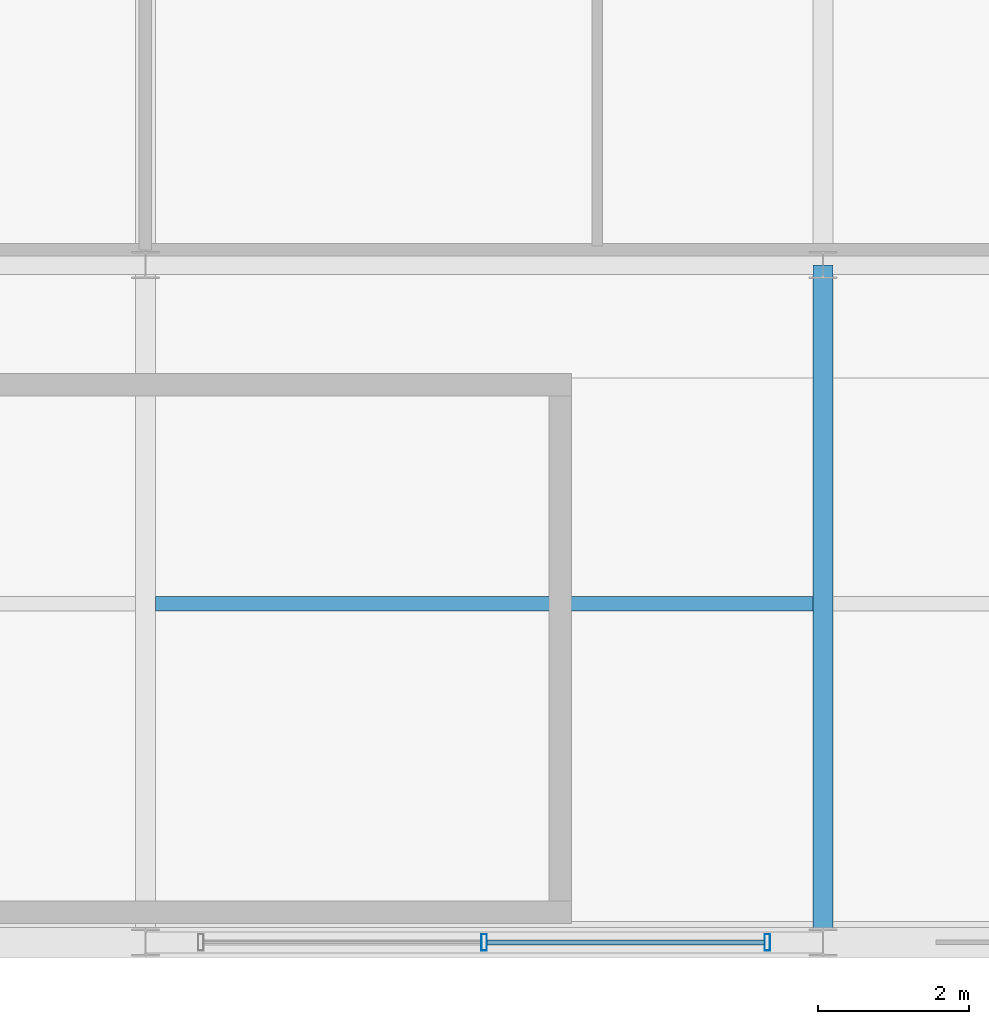
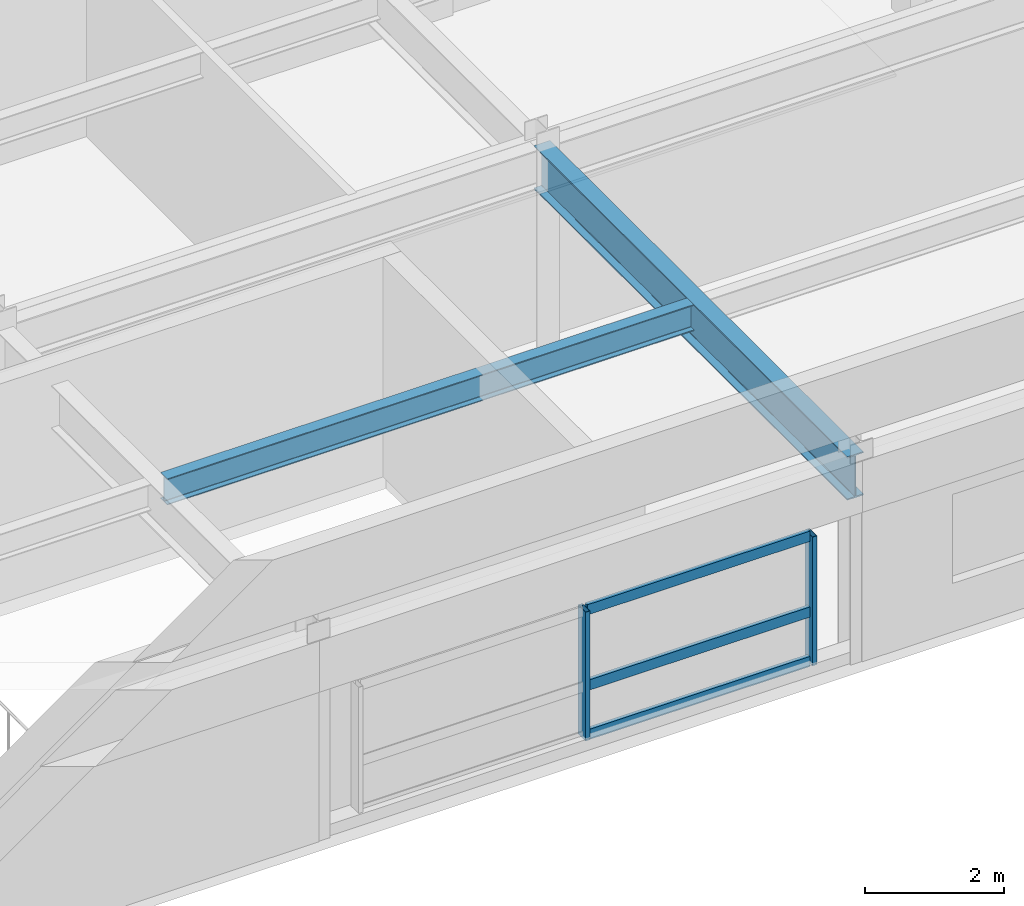
# One storey, part 51 of 108: 5 members, 2 beams, 1 element without a shape of its own.
"""IFC4 building model written with IfcOpenShell, lengths in metres."""

from ifc_helpers import new_model, si_unit, direction, frame, origin, origin_2d, place, context, subcontext, project, spatial, hollow_rectangle, i_section, extrude, material, material_profile, profile_set, type_object, element, aggregate, save


model = new_model("IFC4")

# Units and contexts
model_context = context("Model", 3, precision=1e-05, world=origin(), true_north=direction((0.0, 1.0)))
body_context = subcontext(model_context, "Body", "Model", "MODEL_VIEW")
ifc_project = project(units=[si_unit("LENGTHUNIT", "METRE"), si_unit("AREAUNIT", "SQUARE_METRE"), si_unit("VOLUMEUNIT", "CUBIC_METRE"), si_unit("PLANEANGLEUNIT", "RADIAN"), si_unit("MASSUNIT", "GRAM", prefix="KILO")], contexts=[model_context])

# Site, building, storey
site_placement = place(None, origin())
site = spatial("IfcSite", under=ifc_project, at=site_placement, CompositionType="ELEMENT")
building_placement = place(site_placement, origin())
building = spatial("IfcBuilding", under=site, at=building_placement, Name="Kaldorvane Square Convention Centre", CompositionType="ELEMENT")
storey_placement = place(building_placement, frame((0.0, 0.0, 23.399993896484375)))
storey = spatial("IfcBuildingStorey", under=building, at=storey_placement, Name="L04", CompositionType="ELEMENT", Elevation=23.399993896484375)

# Beams
ifc_material_1 = material(Name="Steel ASTM A992 Gr. 50", Category="steel")
ifc_material_profile_1 = material_profile(ifc_material_1, i_section(OverallWidth=0.2666015625, OverallDepth=0.762298583984375, WebThickness=0.014404296875, FlangeThickness=0.0216064453125, FilletRadius=0.0164947509765625, at=origin_2d()), Name="W30X116")
ifc_profile_set_1 = profile_set([ifc_material_profile_1], Name="Steel ASTM A992 Gr. 50")
beam_type_1 = type_object("IfcBeamType", Name="BM-GR-W30X116", PredefinedType="BEAM", material=ifc_profile_set_1)
beam_1_placement = place(storey_placement, frame((165.0, 0.0, 3.144805908203125), z_axis=(0.0, 1.0, 0.0), x_axis=(-1.0, 0.0, 0.0)))
element("IfcBeam", 1, at=beam_1_placement, inside=storey, type_object=beam_type_1, Name="Transverse Girder (L04)", PredefinedType="BEAM", context=body_context, shape_type="SweptSolid", body=[
    extrude(i_section(OverallWidth=0.2666015625, OverallDepth=0.762298583984375, WebThickness=0.014404296875, FlangeThickness=0.0216064453125, FilletRadius=0.0164947509765625, at=origin_2d()), origin(), (0.0, 0.0, 1.0), 9.0),
])
ifc_material_profile_2 = material_profile(ifc_material_1, i_section(OverallWidth=0.1912994384765625, OverallDepth=0.4600067138671875, WebThickness=0.0099029541015625, FlangeThickness=0.0160064697265625, FilletRadius=0.01019287109375, at=origin_2d()), Name="W18X55")
ifc_profile_set_2 = profile_set([ifc_material_profile_2], Name="Steel ASTM A992 Gr. 50")
beam_type_2 = type_object("IfcBeamType", Name="BM-JS-W18X55", PredefinedType="JOIST", material=ifc_profile_set_2)
beam_2_placement = place(storey_placement, frame((156.13330078125, 4.5, 3.2960052490234375), z_axis=(1.0, 0.0, 0.0), x_axis=(0.0, 1.0, 0.0)))
element("IfcBeam", 2, at=beam_2_placement, inside=storey, type_object=beam_type_2, Name="Secondary Floor Joist (L04)", PredefinedType="JOIST", context=body_context, shape_type="SweptSolid", body=[
    extrude(i_section(OverallWidth=0.1912994384765625, OverallDepth=0.4600067138671875, WebThickness=0.0099029541015625, FlangeThickness=0.0160064697265625, FilletRadius=0.01019287109375, at=origin_2d()), origin(), (0.0, 0.0, 1.0), 8.7333984375),
])

# Curtain wall, members
ifc_material_2 = material(Name="Anodized Aluminum and Low-E Insulated Glazing", Category="aluminium")
curtain_wall_type = type_object("IfcCurtainWallType", Name="CW-UNI-P42-12", PredefinedType="USERDEFINED", material=ifc_material_2)
curtain_wall_placement = place(storey_placement, origin())
curtain_wall = element("IfcCurtainWall", 3, at=curtain_wall_placement, inside=storey, type_object=curtain_wall_type, Name="Curtain Wall CW-05 (L04)", ObjectType="UNITISED GLAZING", PredefinedType="USERDEFINED")
ifc_material_profile_3 = material_profile(ifc_material_2, hollow_rectangle(XDim=0.0749969482421875, YDim=0.220001220703125, WallThickness=0.003997802734375, at=origin_2d()), Name="CWM-220X75")
ifc_profile_set_3 = profile_set([ifc_material_profile_3], Name="Anodized Aluminum and Low-E Insulated Glazing")
member_type_1 = type_object("IfcMemberType", Name="CW-MUL-220", PredefinedType="MULLION", material=ifc_profile_set_3)
member_1_placement = place(storey_placement, frame((160.5, 0.0, 0.1500091552734375), z_axis=(0.0, 0.0, 1.0), x_axis=(1.0, 0.0, 0.0)))
member_1 = element("IfcMember", 4, at=member_1_placement, type_object=member_type_1, Name="CW-05 mullion 2", PredefinedType="MULLION", context=body_context, shape_type="SweptSolid", body=[
    extrude(hollow_rectangle(XDim=0.0749969482421875, YDim=0.220001220703125, WallThickness=0.003997802734375, at=origin_2d()), origin(), (0.0, 0.0, 1.0), 2.2599945068359375),
])
member_2_placement = place(storey_placement, frame((164.2624969482422, 0.0, 0.1500091552734375), z_axis=(0.0, 0.0, 1.0), x_axis=(1.0, 0.0, 0.0)))
member_2 = element("IfcMember", 5, at=member_2_placement, type_object=member_type_1, Name="CW-05 mullion 3", PredefinedType="MULLION", context=body_context, shape_type="SweptSolid", body=[
    extrude(hollow_rectangle(XDim=0.0749969482421875, YDim=0.220001220703125, WallThickness=0.003997802734375, at=origin_2d()), origin(), (0.0, 0.0, 1.0), 2.2599945068359375),
])
ifc_material_profile_4 = material_profile(ifc_material_2, hollow_rectangle(XDim=0.06500244140625, YDim=0.17999267578125, WallThickness=0.0034942626953125, at=origin_2d()), Name="CWT-180X65")
ifc_profile_set_4 = profile_set([ifc_material_profile_4], Name="Anodized Aluminum and Low-E Insulated Glazing")
member_type_2 = type_object("IfcMemberType", Name="CW-TRN-180", PredefinedType="USERDEFINED", material=ifc_profile_set_4)
member_3_placement = place(storey_placement, frame((160.53750610351562, 0.0, 0.1825103759765625), z_axis=(1.0, 0.0, 0.0), x_axis=(0.0, 1.0, 0.0)))
member_3 = element("IfcMember", 6, at=member_3_placement, type_object=member_type_2, Name="CW-05 transom 2.1", ObjectType="TRANSOM", PredefinedType="USERDEFINED", context=body_context, shape_type="SweptSolid", body=[
    extrude(hollow_rectangle(XDim=0.06500244140625, YDim=0.17999267578125, WallThickness=0.0034942626953125, at=origin_2d()), origin(), (0.0, 0.0, 1.0), 3.6875),
])
member_4_placement = place(storey_placement, frame((160.53750610351562, 0.0, 1.0500030517578125), z_axis=(1.0, 0.0, 0.0), x_axis=(0.0, 1.0, 0.0)))
member_4 = element("IfcMember", 7, at=member_4_placement, type_object=member_type_2, Name="CW-05 transom 2.2", ObjectType="TRANSOM", PredefinedType="USERDEFINED", context=body_context, shape_type="SweptSolid", body=[
    extrude(hollow_rectangle(XDim=0.06500244140625, YDim=0.17999267578125, WallThickness=0.0034942626953125, at=origin_2d()), origin(), (0.0, 0.0, 1.0), 3.6875),
])
member_5_placement = place(storey_placement, frame((160.53750610351562, 0.0, 2.37750244140625), z_axis=(1.0, 0.0, 0.0), x_axis=(0.0, 1.0, 0.0)))
member_5 = element("IfcMember", 8, at=member_5_placement, type_object=member_type_2, Name="CW-05 transom 2.3", ObjectType="TRANSOM", PredefinedType="USERDEFINED", context=body_context, shape_type="SweptSolid", body=[
    extrude(hollow_rectangle(XDim=0.06500244140625, YDim=0.17999267578125, WallThickness=0.0034942626953125, at=origin_2d()), origin(), (0.0, 0.0, 1.0), 3.6875),
])
aggregate(curtain_wall, [member_1, member_2, member_3, member_4, member_5])

save(model, "model.ifc")
